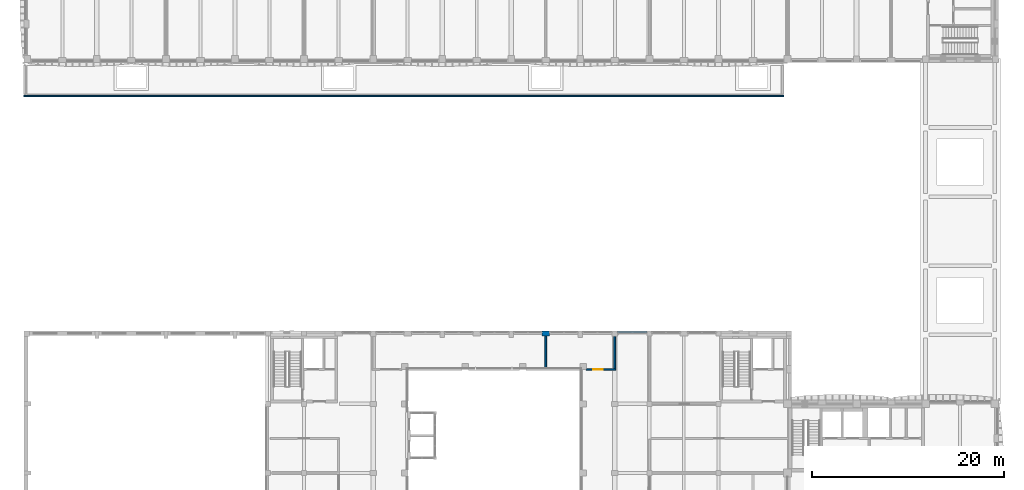
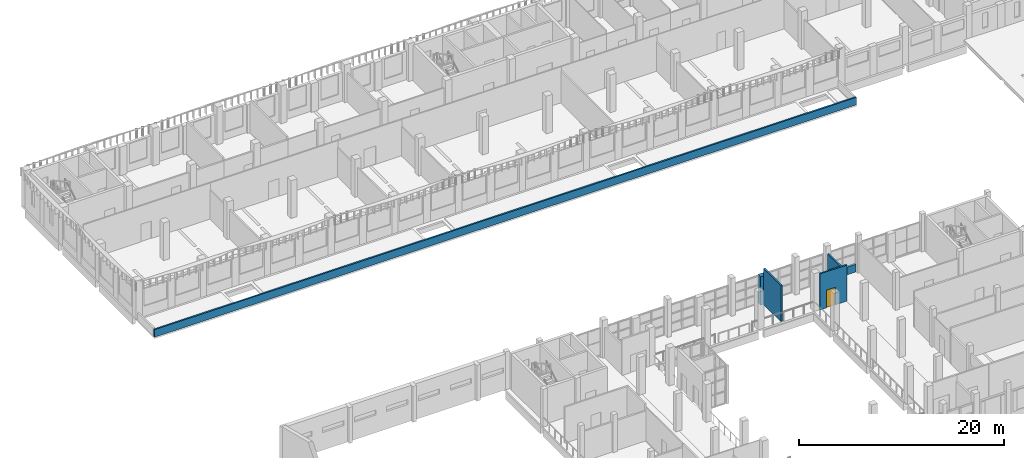
# One storey, part 21 of 59: 6 walls, 1 door, 1 opening.
"""IFC4 building model written with IfcOpenShell, lengths in metres."""

from ifc_helpers import new_model, si_unit, direction, frame, frame_2d, origin, place, context, subcontext, project, spatial, rectangle, extrude, material, layer, layer_set, type_object, element, fill, save


model = new_model("IFC4")

# Units and contexts
model_context = context("Model", 3, precision=1e-05, world=origin(), true_north=direction((0.0, 1.0)))
body_context = subcontext(model_context, "Body", "Model", "MODEL_VIEW")
ifc_project = project(units=[si_unit("LENGTHUNIT", "METRE"), si_unit("AREAUNIT", "SQUARE_METRE"), si_unit("VOLUMEUNIT", "CUBIC_METRE"), si_unit("PLANEANGLEUNIT", "RADIAN"), si_unit("MASSUNIT", "GRAM", prefix="KILO")], contexts=[model_context])

# Site, building, storey
site_placement = place(None, origin())
site = spatial("IfcSite", under=ifc_project, at=site_placement, CompositionType="ELEMENT")
building_placement = place(site_placement, origin())
building = spatial("IfcBuilding", under=site, at=building_placement, Name="Ussher Court Research Institute", CompositionType="ELEMENT")
storey_placement = place(building_placement, frame((0.0, 0.0, 5.39990234375)))
storey = spatial("IfcBuildingStorey", under=building, at=storey_placement, Name="L01", CompositionType="ELEMENT", Elevation=5.39990234375)

# Wall, opening, door
ifc_material_1 = material(Name="Plasterboard on steel studs with mineral wool", Category="steel")
ifc_layer_1 = layer(ifc_material_1, 0.179931640625)
ifc_layer_set_1 = layer_set([ifc_layer_1], Name="Plasterboard on steel studs with mineral wool")
wall_type_1 = type_object("IfcWallType", Name="Acoustic twin-stud partition 180", PredefinedType="PARTITIONING", material=ifc_layer_set_1)
wall_1_placement = place(storey_placement, frame((61.22509765625, 36.39990234375, 0.0), z_axis=(0.0, 0.0, 1.0), x_axis=(1.0, 0.0, 0.0)))
wall_1 = element("IfcWall", 1, at=wall_1_placement, inside=storey, type_object=wall_type_1, Name="Partition", PredefinedType="PARTITIONING", context=body_context, shape_type="SweptSolid", body=[
    extrude(rectangle(XDim=3.06494140625, YDim=0.179931640625, at=frame_2d((1.532470703125, 0.0))), origin(), (0.0, 0.0, 1.0), 4.300048828125),
])
opening_placement = place(wall_1_placement, frame((0.72509765625, 0.0, 0.0)))
opening = element("IfcOpeningElement", 2, at=opening_placement, cuts=wall_1, Name="Opening D01041", PredefinedType="OPENING", context=body_context, shape_type="SweptSolid", body=[
    extrude(rectangle(XDim=1.0, YDim=2.10009765625, at=frame_2d((0.5, 1.050048828125))), frame((0.0, 0.10009765625, 0.0), z_axis=(0.0, -1.0, 0.0), x_axis=(1.0, 0.0, 0.0)), (0.0, 0.0, 1.0), 0.199951171875),
])
ifc_material_2 = material(Name="Veneered timber door", Category="wood")
door_type = type_object("IfcDoorType", Name="Meeting room door 1000x2100", OperationType="NOTDEFINED", PredefinedType="DOOR", material=ifc_material_2)
door_placement = place(opening_placement, origin())
door = element("IfcDoor", 3, at=door_placement, inside=storey, type_object=door_type, Name="Door D01041", OperationType="SINGLE_SWING_LEFT", OverallHeight=2.10009765625, OverallWidth=1.0, PredefinedType="DOOR", context=body_context, shape_type="SweptSolid", body=[
    extrude(rectangle(XDim=1.0, YDim=2.10009765625, at=frame_2d((0.5, 1.050048828125))), frame((0.0, 0.02490234375, 0.0), z_axis=(0.0, -1.0, 0.0), x_axis=(1.0, 0.0, 0.0)), (0.0, 0.0, 1.0), 0.050048828125),
])
fill(opening, door)

# Walls
wall_2_placement = place(storey_placement, frame((57.0, 36.5, 0.0), z_axis=(0.0, 0.0, 1.0), x_axis=(0.0, 1.0, 0.0)))
element("IfcWall", 4, at=wall_2_placement, inside=storey, type_object=wall_type_1, Name="Partition", PredefinedType="PARTITIONING", context=body_context, shape_type="SweptSolid", body=[
    extrude(rectangle(XDim=3.39990234375, YDim=0.179931640625, at=frame_2d((1.699951171875, 0.0))), origin(), (0.0, 0.0, 1.0), 4.300048828125),
])
wall_3_placement = place(storey_placement, frame((64.199951171875, 36.489990234375, 0.0), z_axis=(0.0, 0.0, 1.0), x_axis=(0.0, 1.0, 0.0)))
element("IfcWall", 5, at=wall_3_placement, inside=storey, type_object=wall_type_1, Name="Partition", PredefinedType="PARTITIONING", context=body_context, shape_type="SweptSolid", body=[
    extrude(rectangle(XDim=3.31005859375, YDim=0.179931640625, at=frame_2d((1.655029296875, 0.0))), origin(), (0.0, 0.0, 1.0), 3.570068359375),
])
ifc_material_3 = material(Name="Limestone facing on insulated blockwork", Category="masonry")
ifc_layer_2 = layer(ifc_material_3, 0.219970703125)
ifc_layer_set_2 = layer_set([ifc_layer_2], Name="Limestone facing on insulated blockwork")
wall_type_2 = type_object("IfcWallType", Name="Link wall 220 limestone faced insulated block", PredefinedType="SOLIDWALL", material=ifc_layer_set_2)
wall_4_placement = place(storey_placement, frame((64.5, 40.2900390625, 0.0), z_axis=(0.0, 0.0, 1.0), x_axis=(1.0, 0.0, 0.0)))
element("IfcWall", 6, at=wall_4_placement, inside=storey, type_object=wall_type_2, Name="Plinth wall EW6 L01", PredefinedType="SOLIDWALL", context=body_context, shape_type="SweptSolid", body=[
    extrude(rectangle(XDim=3.050048828125, YDim=0.219970703125, at=frame_2d((1.52490234375, 0.0))), origin(), (0.0, 0.0, 1.0), 0.900146484375),
])
ifc_material_4 = material(Name="Blockwork with cream render", Category="masonry")
ifc_layer_3 = layer(ifc_material_4, 0.179931640625)
ifc_layer_set_3 = layer_set([ifc_layer_3], Name="Blockwork with cream render")
wall_type_3 = type_object("IfcWallType", Name="Parapet 180 cream render", PredefinedType="PARAPET", material=ifc_layer_set_3)
wall_5_placement = place(storey_placement, frame((2.60009765625, 64.889892578125, 0.0), z_axis=(0.0, 0.0, 1.0), x_axis=(1.0, 0.0, 0.0)))
element("IfcWall", 7, at=wall_5_placement, inside=storey, type_object=wall_type_3, Name="Parapet PW1", PredefinedType="PARAPET", context=body_context, shape_type="SweptSolid", body=[
    extrude(rectangle(XDim=79.199951171875, YDim=0.179931640625, at=frame_2d((39.60009765625, 0.0))), origin(), (0.0, 0.0, 1.0), 0.900146484375),
])
ifc_material_5 = material(Name="Rusticated limestone facing on blockwork", Category="masonry")
ifc_layer_4 = layer(ifc_material_5, 0.5)
ifc_layer_set_4 = layer_set([ifc_layer_4], Name="Rusticated limestone facing on blockwork")
wall_type_4 = type_object("IfcWallType", Name="Pier 800x500 rusticated limestone", PredefinedType="SOLIDWALL", material=ifc_layer_set_4)
wall_6_placement = place(storey_placement, frame((56.60009765625, 40.14990234375, 0.0), z_axis=(0.0, 0.0, 1.0), x_axis=(1.0, 0.0, 0.0)))
element("IfcWall", 8, at=wall_6_placement, inside=storey, type_object=wall_type_4, Name="Pier PR2 L01", PredefinedType="SOLIDWALL", context=body_context, shape_type="SweptSolid", body=[
    extrude(rectangle(XDim=0.7998046875, YDim=0.5, at=frame_2d((0.39990234375, 0.0))), origin(), (0.0, 0.0, 1.0), 3.400146484375),
])

save(model, "model.ifc")
